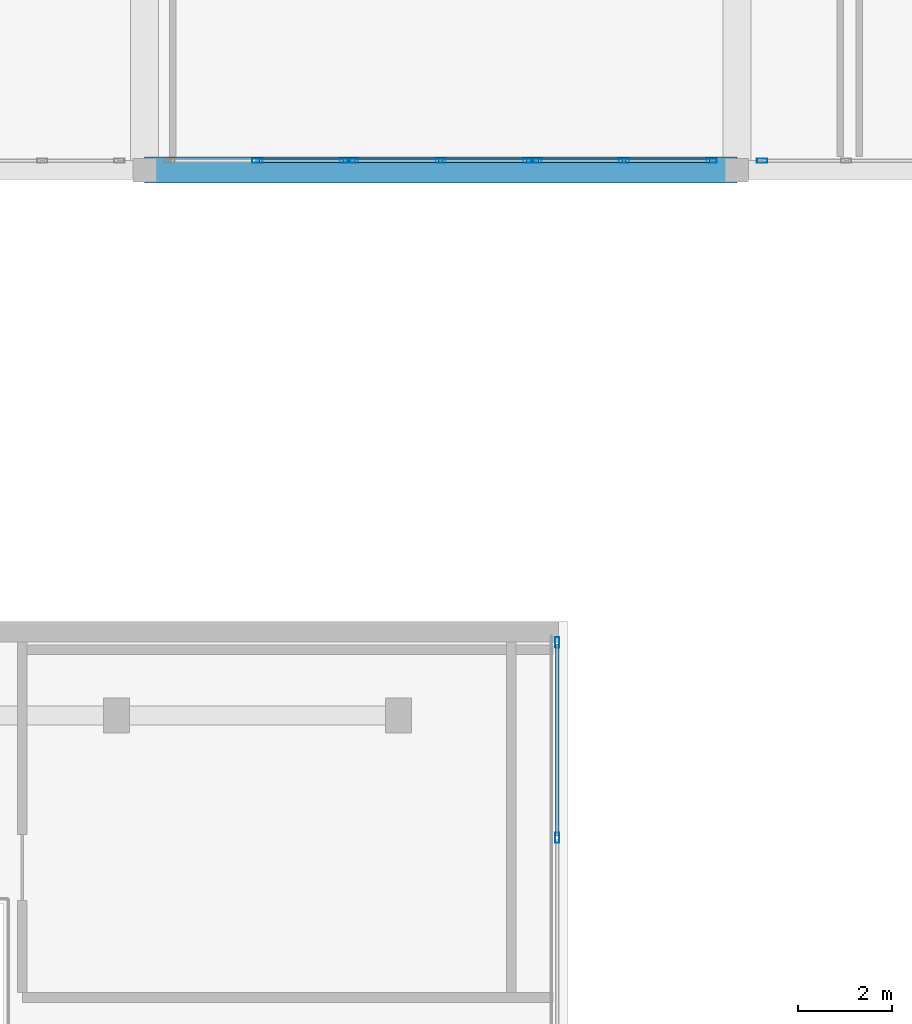
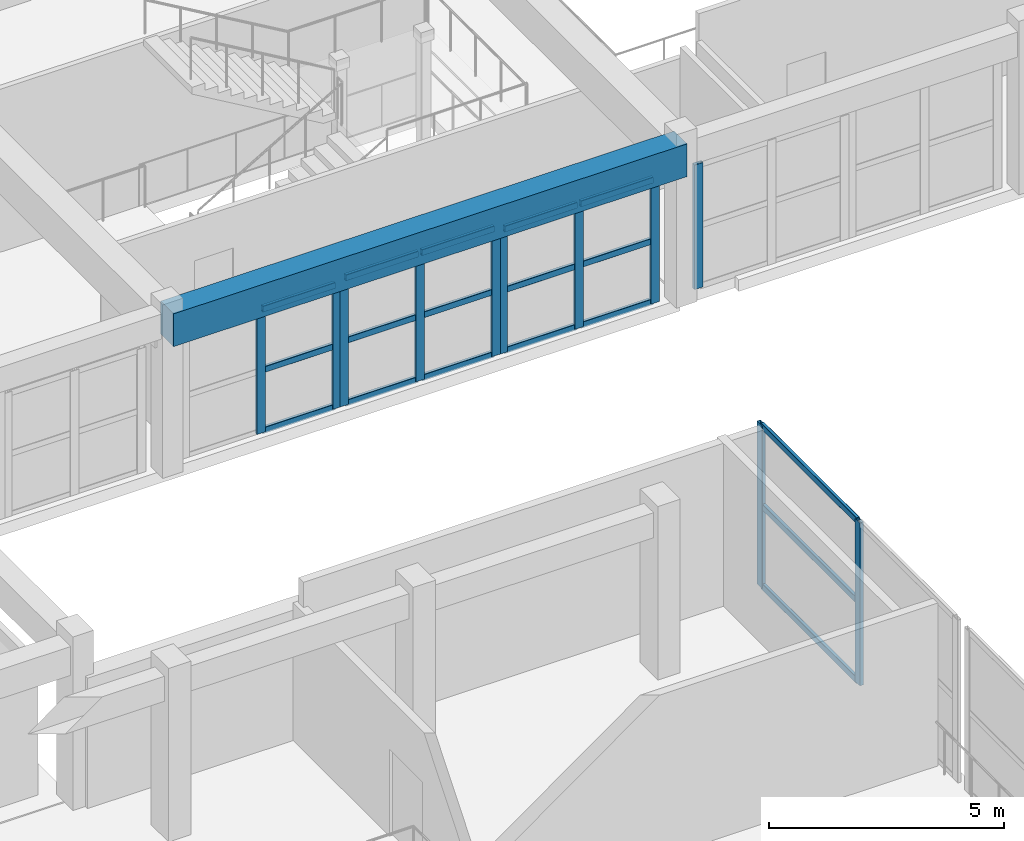
# One storey, part 14 of 92: 29 members, 1 beam, 5 elements without a shape of their own.
"""IFC4 building model written with IfcOpenShell, lengths in metres."""

from ifc_helpers import new_model, si_unit, direction, frame, origin, origin_2d, place, context, subcontext, project, spatial, rectangle, hollow_rectangle, extrude, material, layer, layer_set, material_profile, profile_set, type_object, element, aggregate, save


model = new_model("IFC4")

# Units and contexts
model_context = context("Model", 3, precision=1e-05, world=origin(), true_north=direction((0.0, 1.0)))
body_context = subcontext(model_context, "Body", "Model", "MODEL_VIEW")
ifc_project = project(units=[si_unit("LENGTHUNIT", "METRE"), si_unit("AREAUNIT", "SQUARE_METRE"), si_unit("VOLUMEUNIT", "CUBIC_METRE"), si_unit("PLANEANGLEUNIT", "RADIAN"), si_unit("MASSUNIT", "GRAM", prefix="KILO")], contexts=[model_context])

# Site, building, storey
site_placement = place(None, origin())
site = spatial("IfcSite", under=ifc_project, at=site_placement, CompositionType="ELEMENT")
building_placement = place(site_placement, origin())
building = spatial("IfcBuilding", under=site, at=building_placement, Name="Tarnavel Promenade Courthouse", CompositionType="ELEMENT")
storey_placement = place(building_placement, frame((0.0, 0.0, 5.39990234375)))
storey = spatial("IfcBuildingStorey", under=building, at=storey_placement, Name="L02", CompositionType="ELEMENT", Elevation=5.39990234375)

# Beam
ifc_material_1 = material(Name="Concrete C40/50", Category="concrete")
ifc_material_profile_1 = material_profile(ifc_material_1, rectangle(XDim=0.550048828125, YDim=0.85009765625, at=origin_2d()), Name="PT 550x850")
ifc_profile_set_1 = profile_set([ifc_material_profile_1], Name="Concrete C40/50")
beam_type = type_object("IfcBeamType", Name="Concrete C40/50 BM-PT-550x850 (PT 550x850)", PredefinedType="T_BEAM", material=ifc_profile_set_1)
beam_placement = place(storey_placement, frame((46.199951171875, 46.800048828125, 3.77001953125), z_axis=(1.0, 0.0, 0.0), x_axis=(0.0, 1.0, 0.0)))
element("IfcBeam", 1, at=beam_placement, inside=storey, type_object=beam_type, Name="L02 Primary Longitudinal Beam 1109", PredefinedType="T_BEAM", context=body_context, shape_type="SweptSolid", body=[
    extrude(rectangle(XDim=0.550048828125, YDim=0.85009765625, at=origin_2d()), origin(), (0.0, 0.0, 1.0), 12.60009765625),
])

# Curtain wall, members
ifc_material_2 = material(Name="Thermally Broken Anodised Aluminium Curtain Wall System", Category="aluminium")
ifc_layer_1 = layer(ifc_material_2, 0.219970703125)
ifc_layer_set_1 = layer_set([ifc_layer_1], Name="Thermally Broken Anodised Aluminium Curtain Wall System")
curtain_wall_type_1 = type_object("IfcCurtainWallType", Name="Thermally Broken Aluminium Triple-Glazed Curtain Wall CW-DRUM", PredefinedType="NOTDEFINED", material=ifc_layer_set_1)
curtain_wall_1_placement = place(storey_placement, origin())
curtain_wall_1 = element("IfcCurtainWall", 2, at=curtain_wall_1_placement, inside=storey, type_object=curtain_wall_type_1, Name="L02 Public Drum East Return Curtain Wall 026", PredefinedType="NOTDEFINED")
ifc_material_3 = material(Name="Thermally Broken Anodised Aluminium Frame", Category="aluminium")
ifc_material_profile_2 = material_profile(ifc_material_3, hollow_rectangle(XDim=0.090087890625, YDim=0.219970703125, WallThickness=0.0048828125, InnerFilletRadius=0.0048828125, OuterFilletRadius=0.010009765625, at=origin_2d()), Name="CWM 220x90x5")
ifc_profile_set_2 = profile_set([ifc_material_profile_2], Name="Thermally Broken Anodised Aluminium Frame")
member_type_1 = type_object("IfcMemberType", Name="Thermally Broken Anodised Aluminium CWM-175 (CWM 220x90x5)", PredefinedType="MULLION", material=ifc_profile_set_2)
member_1_placement = place(storey_placement, frame((54.97998046875, 32.60009765625, 0.0), z_axis=(0.0, 0.0, 1.0), x_axis=(-1.0, 0.0, 0.0)))
member_1 = element("IfcMember", 3, at=member_1_placement, type_object=member_type_1, Name="CW-01 mullion 2", PredefinedType="MULLION", context=body_context, shape_type="SweptSolid", body=[
    extrude(hollow_rectangle(XDim=0.090087890625, YDim=0.219970703125, WallThickness=0.0048828125, InnerFilletRadius=0.0048828125, OuterFilletRadius=0.010009765625, at=origin_2d()), origin(), (0.0, 0.0, 1.0), 4.22021484375),
])
member_2_placement = place(storey_placement, frame((54.97998046875, 36.7548828125, 0.0), z_axis=(0.0, 0.0, 1.0), x_axis=(-1.0, 0.0, 0.0)))
member_2 = element("IfcMember", 4, at=member_2_placement, type_object=member_type_1, Name="CW-01 mullion 3", PredefinedType="MULLION", context=body_context, shape_type="SweptSolid", body=[
    extrude(hollow_rectangle(XDim=0.090087890625, YDim=0.219970703125, WallThickness=0.0048828125, InnerFilletRadius=0.0048828125, OuterFilletRadius=0.010009765625, at=origin_2d()), origin(), (0.0, 0.0, 1.0), 4.22021484375),
])

ifc_layer_2 = layer(ifc_material_2, 0.239990234375)
ifc_layer_set_2 = layer_set([ifc_layer_2], Name="Thermally Broken Anodised Aluminium Curtain Wall System")
curtain_wall_type_2 = type_object("IfcCurtainWallType", Name="Thermally Broken Aluminium Triple-Glazed Curtain Wall CW-WG-S", PredefinedType="NOTDEFINED", material=ifc_layer_set_2)
curtain_wall_2_placement = place(storey_placement, origin())
curtain_wall_2 = element("IfcCurtainWall", 5, at=curtain_wall_2_placement, inside=storey, type_object=curtain_wall_type_2, Name="L02 Winter-Garden South Solar Curtain Wall 064", PredefinedType="NOTDEFINED")
member_3_placement = place(storey_placement, frame((48.60009765625, 47.0, 0.0), z_axis=(0.0, 0.0, 1.0), x_axis=(0.0, 1.0, 0.0)))
member_3 = element("IfcMember", 6, at=member_3_placement, type_object=member_type_1, Name="CW-02 mullion 2", PredefinedType="MULLION", context=body_context, shape_type="SweptSolid", body=[
    extrude(hollow_rectangle(XDim=0.090087890625, YDim=0.219970703125, WallThickness=0.0048828125, InnerFilletRadius=0.0048828125, OuterFilletRadius=0.010009765625, at=origin_2d()), origin(), (0.0, 0.0, 1.0), 3.22998046875),
])
member_4_placement = place(storey_placement, frame((50.465087890625, 47.0, 0.0), z_axis=(0.0, 0.0, 1.0), x_axis=(0.0, 1.0, 0.0)))
member_4 = element("IfcMember", 7, at=member_4_placement, type_object=member_type_1, Name="CW-02 mullion 3", PredefinedType="MULLION", context=body_context, shape_type="SweptSolid", body=[
    extrude(hollow_rectangle(XDim=0.090087890625, YDim=0.219970703125, WallThickness=0.0048828125, InnerFilletRadius=0.0048828125, OuterFilletRadius=0.010009765625, at=origin_2d()), origin(), (0.0, 0.0, 1.0), 3.22998046875),
])

curtain_wall_3_placement = place(storey_placement, origin())
curtain_wall_3 = element("IfcCurtainWall", 8, at=curtain_wall_3_placement, inside=storey, type_object=curtain_wall_type_2, Name="L02 Winter-Garden South Solar Curtain Wall 065", PredefinedType="NOTDEFINED")
member_5_placement = place(storey_placement, frame((50.635009765625, 47.0, 0.0), z_axis=(0.0, 0.0, 1.0), x_axis=(0.0, 1.0, 0.0)))
member_5 = element("IfcMember", 9, at=member_5_placement, type_object=member_type_1, Name="CW-02 mullion 1", PredefinedType="MULLION", context=body_context, shape_type="SweptSolid", body=[
    extrude(hollow_rectangle(XDim=0.090087890625, YDim=0.219970703125, WallThickness=0.0048828125, InnerFilletRadius=0.0048828125, OuterFilletRadius=0.010009765625, at=origin_2d()), origin(), (0.0, 0.0, 1.0), 3.330078125),
])
member_6_placement = place(storey_placement, frame((52.5, 47.0, 0.0), z_axis=(0.0, 0.0, 1.0), x_axis=(0.0, 1.0, 0.0)))
member_6 = element("IfcMember", 10, at=member_6_placement, type_object=member_type_1, Name="CW-02 mullion 2", PredefinedType="MULLION", context=body_context, shape_type="SweptSolid", body=[
    extrude(hollow_rectangle(XDim=0.090087890625, YDim=0.219970703125, WallThickness=0.0048828125, InnerFilletRadius=0.0048828125, OuterFilletRadius=0.010009765625, at=origin_2d()), origin(), (0.0, 0.0, 1.0), 3.330078125),
])
member_7_placement = place(storey_placement, frame((54.364990234375, 47.0, 0.0), z_axis=(0.0, 0.0, 1.0), x_axis=(0.0, 1.0, 0.0)))
member_7 = element("IfcMember", 11, at=member_7_placement, type_object=member_type_1, Name="CW-02 mullion 3", PredefinedType="MULLION", context=body_context, shape_type="SweptSolid", body=[
    extrude(hollow_rectangle(XDim=0.090087890625, YDim=0.219970703125, WallThickness=0.0048828125, InnerFilletRadius=0.0048828125, OuterFilletRadius=0.010009765625, at=origin_2d()), origin(), (0.0, 0.0, 1.0), 3.330078125),
])

curtain_wall_4_placement = place(storey_placement, origin())
curtain_wall_4 = element("IfcCurtainWall", 12, at=curtain_wall_4_placement, inside=storey, type_object=curtain_wall_type_2, Name="L02 Winter-Garden South Solar Curtain Wall 066", PredefinedType="NOTDEFINED")
member_8_placement = place(storey_placement, frame((54.534912109375, 47.0, 0.0), z_axis=(0.0, 0.0, 1.0), x_axis=(0.0, 1.0, 0.0)))
member_8 = element("IfcMember", 13, at=member_8_placement, type_object=member_type_1, Name="CW-02 mullion 1", PredefinedType="MULLION", context=body_context, shape_type="SweptSolid", body=[
    extrude(hollow_rectangle(XDim=0.090087890625, YDim=0.219970703125, WallThickness=0.0048828125, InnerFilletRadius=0.0048828125, OuterFilletRadius=0.010009765625, at=origin_2d()), origin(), (0.0, 0.0, 1.0), 3.22998046875),
])
member_9_placement = place(storey_placement, frame((56.39990234375, 47.0, 0.0), z_axis=(0.0, 0.0, 1.0), x_axis=(0.0, 1.0, 0.0)))
member_9 = element("IfcMember", 14, at=member_9_placement, type_object=member_type_1, Name="CW-02 mullion 2", PredefinedType="MULLION", context=body_context, shape_type="SweptSolid", body=[
    extrude(hollow_rectangle(XDim=0.090087890625, YDim=0.219970703125, WallThickness=0.0048828125, InnerFilletRadius=0.0048828125, OuterFilletRadius=0.010009765625, at=origin_2d()), origin(), (0.0, 0.0, 1.0), 3.22998046875),
])
member_10_placement = place(storey_placement, frame((58.264892578125, 47.0, 0.0), z_axis=(0.0, 0.0, 1.0), x_axis=(0.0, 1.0, 0.0)))
member_10 = element("IfcMember", 15, at=member_10_placement, type_object=member_type_1, Name="CW-02 mullion 3", PredefinedType="MULLION", context=body_context, shape_type="SweptSolid", body=[
    extrude(hollow_rectangle(XDim=0.090087890625, YDim=0.219970703125, WallThickness=0.0048828125, InnerFilletRadius=0.0048828125, OuterFilletRadius=0.010009765625, at=origin_2d()), origin(), (0.0, 0.0, 1.0), 3.22998046875),
])

# Curtain wall, member
curtain_wall_5_placement = place(storey_placement, origin())
curtain_wall_5 = element("IfcCurtainWall", 16, at=curtain_wall_5_placement, inside=storey, type_object=curtain_wall_type_2, Name="L02 Winter-Garden South Solar Curtain Wall 067", PredefinedType="NOTDEFINED")
member_11_placement = place(storey_placement, frame((59.3349609375, 47.0, 0.0), z_axis=(0.0, 0.0, 1.0), x_axis=(0.0, 1.0, 0.0)))
member_11 = element("IfcMember", 17, at=member_11_placement, type_object=member_type_1, Name="CW-02 mullion 1", PredefinedType="MULLION", context=body_context, shape_type="SweptSolid", body=[
    extrude(hollow_rectangle(XDim=0.090087890625, YDim=0.219970703125, WallThickness=0.0048828125, InnerFilletRadius=0.0048828125, OuterFilletRadius=0.010009765625, at=origin_2d()), origin(), (0.0, 0.0, 1.0), 3.22998046875),
])
aggregate(curtain_wall_5, [member_11])

# Member
ifc_material_profile_3 = material_profile(ifc_material_3, hollow_rectangle(XDim=0.080078125, YDim=0.159912109375, WallThickness=0.0048828125, InnerFilletRadius=0.0048828125, OuterFilletRadius=0.010009765625, at=origin_2d()), Name="CWT 160x80x5")
ifc_profile_set_3 = profile_set([ifc_material_profile_3], Name="Thermally Broken Anodised Aluminium Frame")
member_type_2 = type_object("IfcMemberType", Name="Thermally Broken Anodised Aluminium CWT-145 (CWT 160x80x5)", PredefinedType="USERDEFINED", material=ifc_profile_set_3)
member_12_placement = place(storey_placement, frame((54.97998046875, 32.64501953125, 0.0400390625), z_axis=(0.0, 1.0, 0.0), x_axis=(-1.0, 0.0, 0.0)))
member_12 = element("IfcMember", 18, at=member_12_placement, type_object=member_type_2, Name="CW-01 transom 2.1", ObjectType="TRANSOM", PredefinedType="USERDEFINED", context=body_context, shape_type="SweptSolid", body=[
    extrude(hollow_rectangle(XDim=0.080078125, YDim=0.159912109375, WallThickness=0.0048828125, InnerFilletRadius=0.0048828125, OuterFilletRadius=0.010009765625, at=origin_2d()), origin(), (0.0, 0.0, 1.0), 4.06494140625),
])

member_13_placement = place(storey_placement, frame((54.97998046875, 32.64501953125, 2.110107421875), z_axis=(0.0, 1.0, 0.0), x_axis=(-1.0, 0.0, 0.0)))
member_13 = element("IfcMember", 19, at=member_13_placement, type_object=member_type_2, Name="CW-01 transom 2.2", ObjectType="TRANSOM", PredefinedType="USERDEFINED", context=body_context, shape_type="SweptSolid", body=[
    extrude(hollow_rectangle(XDim=0.080078125, YDim=0.159912109375, WallThickness=0.0048828125, InnerFilletRadius=0.0048828125, OuterFilletRadius=0.010009765625, at=origin_2d()), origin(), (0.0, 0.0, 1.0), 4.06494140625),
])

member_14_placement = place(storey_placement, frame((54.97998046875, 32.64501953125, 4.18017578125), z_axis=(0.0, 1.0, 0.0), x_axis=(-1.0, 0.0, 0.0)))
member_14 = element("IfcMember", 20, at=member_14_placement, type_object=member_type_2, Name="CW-01 transom 2.3", ObjectType="TRANSOM", PredefinedType="USERDEFINED", context=body_context, shape_type="SweptSolid", body=[
    extrude(hollow_rectangle(XDim=0.080078125, YDim=0.159912109375, WallThickness=0.0048828125, InnerFilletRadius=0.0048828125, OuterFilletRadius=0.010009765625, at=origin_2d()), origin(), (0.0, 0.0, 1.0), 4.06494140625),
])

aggregate(curtain_wall_1, [member_1, member_2, member_12, member_13, member_14])

member_15_placement = place(storey_placement, frame((48.64501953125, 47.0, 0.0400390625), z_axis=(1.0, 0.0, 0.0), x_axis=(0.0, 1.0, 0.0)))
member_15 = element("IfcMember", 21, at=member_15_placement, type_object=member_type_2, Name="CW-02 transom 2.1", ObjectType="TRANSOM", PredefinedType="USERDEFINED", context=body_context, shape_type="SweptSolid", body=[
    extrude(hollow_rectangle(XDim=0.080078125, YDim=0.159912109375, WallThickness=0.0048828125, InnerFilletRadius=0.0048828125, OuterFilletRadius=0.010009765625, at=origin_2d()), origin(), (0.0, 0.0, 1.0), 1.77490234375),
])

member_16_placement = place(storey_placement, frame((48.64501953125, 47.0, 1.614990234375), z_axis=(1.0, 0.0, 0.0), x_axis=(0.0, 1.0, 0.0)))
member_16 = element("IfcMember", 22, at=member_16_placement, type_object=member_type_2, Name="CW-02 transom 2.2", ObjectType="TRANSOM", PredefinedType="USERDEFINED", context=body_context, shape_type="SweptSolid", body=[
    extrude(hollow_rectangle(XDim=0.080078125, YDim=0.159912109375, WallThickness=0.0048828125, InnerFilletRadius=0.0048828125, OuterFilletRadius=0.010009765625, at=origin_2d()), origin(), (0.0, 0.0, 1.0), 1.77490234375),
])

member_17_placement = place(storey_placement, frame((48.64501953125, 47.0, 3.190185546875), z_axis=(1.0, 0.0, 0.0), x_axis=(0.0, 1.0, 0.0)))
member_17 = element("IfcMember", 23, at=member_17_placement, type_object=member_type_2, Name="CW-02 transom 2.3", ObjectType="TRANSOM", PredefinedType="USERDEFINED", context=body_context, shape_type="SweptSolid", body=[
    extrude(hollow_rectangle(XDim=0.080078125, YDim=0.159912109375, WallThickness=0.0048828125, InnerFilletRadius=0.0048828125, OuterFilletRadius=0.010009765625, at=origin_2d()), origin(), (0.0, 0.0, 1.0), 1.77490234375),
])

aggregate(curtain_wall_2, [member_3, member_4, member_15, member_16, member_17])

member_18_placement = place(storey_placement, frame((50.679931640625, 47.0, 0.0400390625), z_axis=(1.0, 0.0, 0.0), x_axis=(0.0, 1.0, 0.0)))
member_18 = element("IfcMember", 24, at=member_18_placement, type_object=member_type_2, Name="CW-02 transom 1.1", ObjectType="TRANSOM", PredefinedType="USERDEFINED", context=body_context, shape_type="SweptSolid", body=[
    extrude(hollow_rectangle(XDim=0.080078125, YDim=0.159912109375, WallThickness=0.0048828125, InnerFilletRadius=0.0048828125, OuterFilletRadius=0.010009765625, at=origin_2d()), origin(), (0.0, 0.0, 1.0), 1.775146484375),
])

member_19_placement = place(storey_placement, frame((50.679931640625, 47.0, 1.6650390625), z_axis=(1.0, 0.0, 0.0), x_axis=(0.0, 1.0, 0.0)))
member_19 = element("IfcMember", 25, at=member_19_placement, type_object=member_type_2, Name="CW-02 transom 1.2", ObjectType="TRANSOM", PredefinedType="USERDEFINED", context=body_context, shape_type="SweptSolid", body=[
    extrude(hollow_rectangle(XDim=0.080078125, YDim=0.159912109375, WallThickness=0.0048828125, InnerFilletRadius=0.0048828125, OuterFilletRadius=0.010009765625, at=origin_2d()), origin(), (0.0, 0.0, 1.0), 1.775146484375),
])

member_20_placement = place(storey_placement, frame((50.679931640625, 47.0, 3.2900390625), z_axis=(1.0, 0.0, 0.0), x_axis=(0.0, 1.0, 0.0)))
member_20 = element("IfcMember", 26, at=member_20_placement, type_object=member_type_2, Name="CW-02 transom 1.3", ObjectType="TRANSOM", PredefinedType="USERDEFINED", context=body_context, shape_type="SweptSolid", body=[
    extrude(hollow_rectangle(XDim=0.080078125, YDim=0.159912109375, WallThickness=0.0048828125, InnerFilletRadius=0.0048828125, OuterFilletRadius=0.010009765625, at=origin_2d()), origin(), (0.0, 0.0, 1.0), 1.775146484375),
])

member_21_placement = place(storey_placement, frame((52.544921875, 47.0, 0.0400390625), z_axis=(1.0, 0.0, 0.0), x_axis=(0.0, 1.0, 0.0)))
member_21 = element("IfcMember", 27, at=member_21_placement, type_object=member_type_2, Name="CW-02 transom 2.1", ObjectType="TRANSOM", PredefinedType="USERDEFINED", context=body_context, shape_type="SweptSolid", body=[
    extrude(hollow_rectangle(XDim=0.080078125, YDim=0.159912109375, WallThickness=0.0048828125, InnerFilletRadius=0.0048828125, OuterFilletRadius=0.010009765625, at=origin_2d()), origin(), (0.0, 0.0, 1.0), 1.775146484375),
])

member_22_placement = place(storey_placement, frame((52.544921875, 47.0, 1.6650390625), z_axis=(1.0, 0.0, 0.0), x_axis=(0.0, 1.0, 0.0)))
member_22 = element("IfcMember", 28, at=member_22_placement, type_object=member_type_2, Name="CW-02 transom 2.2", ObjectType="TRANSOM", PredefinedType="USERDEFINED", context=body_context, shape_type="SweptSolid", body=[
    extrude(hollow_rectangle(XDim=0.080078125, YDim=0.159912109375, WallThickness=0.0048828125, InnerFilletRadius=0.0048828125, OuterFilletRadius=0.010009765625, at=origin_2d()), origin(), (0.0, 0.0, 1.0), 1.775146484375),
])

member_23_placement = place(storey_placement, frame((52.544921875, 47.0, 3.2900390625), z_axis=(1.0, 0.0, 0.0), x_axis=(0.0, 1.0, 0.0)))
member_23 = element("IfcMember", 29, at=member_23_placement, type_object=member_type_2, Name="CW-02 transom 2.3", ObjectType="TRANSOM", PredefinedType="USERDEFINED", context=body_context, shape_type="SweptSolid", body=[
    extrude(hollow_rectangle(XDim=0.080078125, YDim=0.159912109375, WallThickness=0.0048828125, InnerFilletRadius=0.0048828125, OuterFilletRadius=0.010009765625, at=origin_2d()), origin(), (0.0, 0.0, 1.0), 1.775146484375),
])

aggregate(curtain_wall_3, [member_5, member_6, member_7, member_18, member_19, member_20, member_21, member_22, member_23])

member_24_placement = place(storey_placement, frame((54.580078125, 47.0, 0.0400390625), z_axis=(1.0, 0.0, 0.0), x_axis=(0.0, 1.0, 0.0)))
member_24 = element("IfcMember", 30, at=member_24_placement, type_object=member_type_2, Name="CW-02 transom 1.1", ObjectType="TRANSOM", PredefinedType="USERDEFINED", context=body_context, shape_type="SweptSolid", body=[
    extrude(hollow_rectangle(XDim=0.080078125, YDim=0.159912109375, WallThickness=0.0048828125, InnerFilletRadius=0.0048828125, OuterFilletRadius=0.010009765625, at=origin_2d()), origin(), (0.0, 0.0, 1.0), 1.77490234375),
])

member_25_placement = place(storey_placement, frame((54.580078125, 47.0, 1.614990234375), z_axis=(1.0, 0.0, 0.0), x_axis=(0.0, 1.0, 0.0)))
member_25 = element("IfcMember", 31, at=member_25_placement, type_object=member_type_2, Name="CW-02 transom 1.2", ObjectType="TRANSOM", PredefinedType="USERDEFINED", context=body_context, shape_type="SweptSolid", body=[
    extrude(hollow_rectangle(XDim=0.080078125, YDim=0.159912109375, WallThickness=0.0048828125, InnerFilletRadius=0.0048828125, OuterFilletRadius=0.010009765625, at=origin_2d()), origin(), (0.0, 0.0, 1.0), 1.77490234375),
])

member_26_placement = place(storey_placement, frame((54.580078125, 47.0, 3.190185546875), z_axis=(1.0, 0.0, 0.0), x_axis=(0.0, 1.0, 0.0)))
member_26 = element("IfcMember", 32, at=member_26_placement, type_object=member_type_2, Name="CW-02 transom 1.3", ObjectType="TRANSOM", PredefinedType="USERDEFINED", context=body_context, shape_type="SweptSolid", body=[
    extrude(hollow_rectangle(XDim=0.080078125, YDim=0.159912109375, WallThickness=0.0048828125, InnerFilletRadius=0.0048828125, OuterFilletRadius=0.010009765625, at=origin_2d()), origin(), (0.0, 0.0, 1.0), 1.77490234375),
])

member_27_placement = place(storey_placement, frame((56.445068359375, 47.0, 0.0400390625), z_axis=(1.0, 0.0, 0.0), x_axis=(0.0, 1.0, 0.0)))
member_27 = element("IfcMember", 33, at=member_27_placement, type_object=member_type_2, Name="CW-02 transom 2.1", ObjectType="TRANSOM", PredefinedType="USERDEFINED", context=body_context, shape_type="SweptSolid", body=[
    extrude(hollow_rectangle(XDim=0.080078125, YDim=0.159912109375, WallThickness=0.0048828125, InnerFilletRadius=0.0048828125, OuterFilletRadius=0.010009765625, at=origin_2d()), origin(), (0.0, 0.0, 1.0), 1.77490234375),
])

member_28_placement = place(storey_placement, frame((56.445068359375, 47.0, 1.614990234375), z_axis=(1.0, 0.0, 0.0), x_axis=(0.0, 1.0, 0.0)))
member_28 = element("IfcMember", 34, at=member_28_placement, type_object=member_type_2, Name="CW-02 transom 2.2", ObjectType="TRANSOM", PredefinedType="USERDEFINED", context=body_context, shape_type="SweptSolid", body=[
    extrude(hollow_rectangle(XDim=0.080078125, YDim=0.159912109375, WallThickness=0.0048828125, InnerFilletRadius=0.0048828125, OuterFilletRadius=0.010009765625, at=origin_2d()), origin(), (0.0, 0.0, 1.0), 1.77490234375),
])

member_29_placement = place(storey_placement, frame((56.445068359375, 47.0, 3.190185546875), z_axis=(1.0, 0.0, 0.0), x_axis=(0.0, 1.0, 0.0)))
member_29 = element("IfcMember", 35, at=member_29_placement, type_object=member_type_2, Name="CW-02 transom 2.3", ObjectType="TRANSOM", PredefinedType="USERDEFINED", context=body_context, shape_type="SweptSolid", body=[
    extrude(hollow_rectangle(XDim=0.080078125, YDim=0.159912109375, WallThickness=0.0048828125, InnerFilletRadius=0.0048828125, OuterFilletRadius=0.010009765625, at=origin_2d()), origin(), (0.0, 0.0, 1.0), 1.77490234375),
])

aggregate(curtain_wall_4, [member_8, member_9, member_10, member_24, member_25, member_26, member_27, member_28, member_29])

save(model, "model.ifc")
